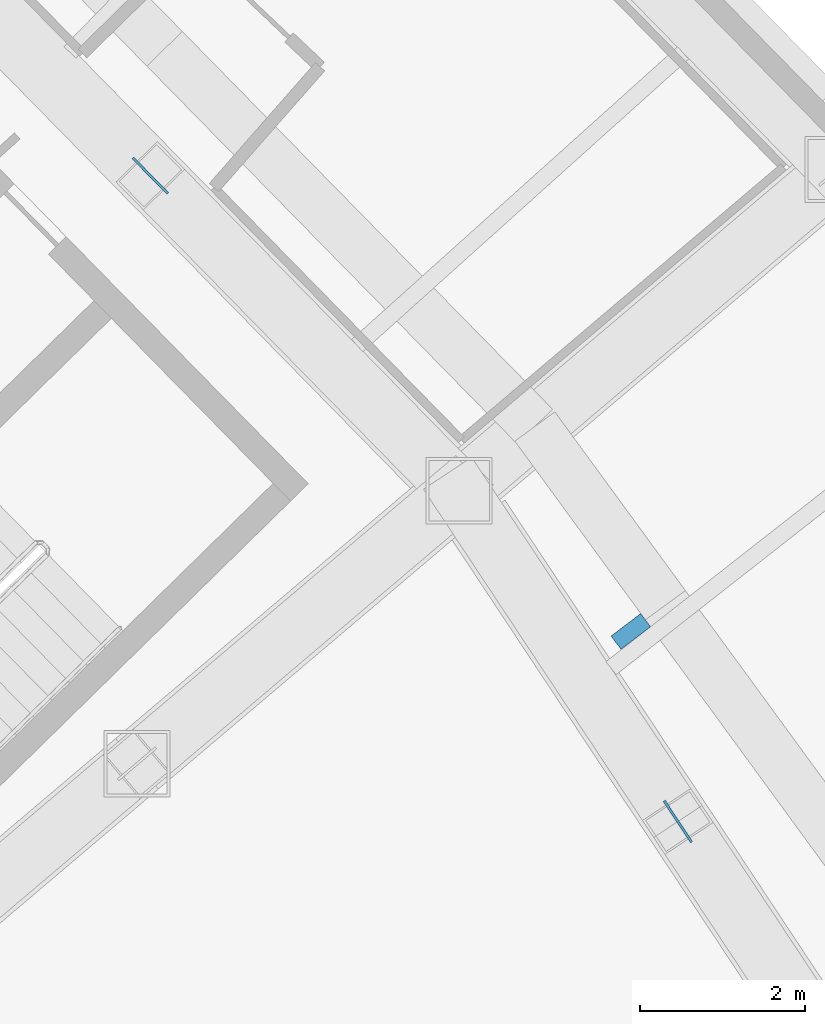
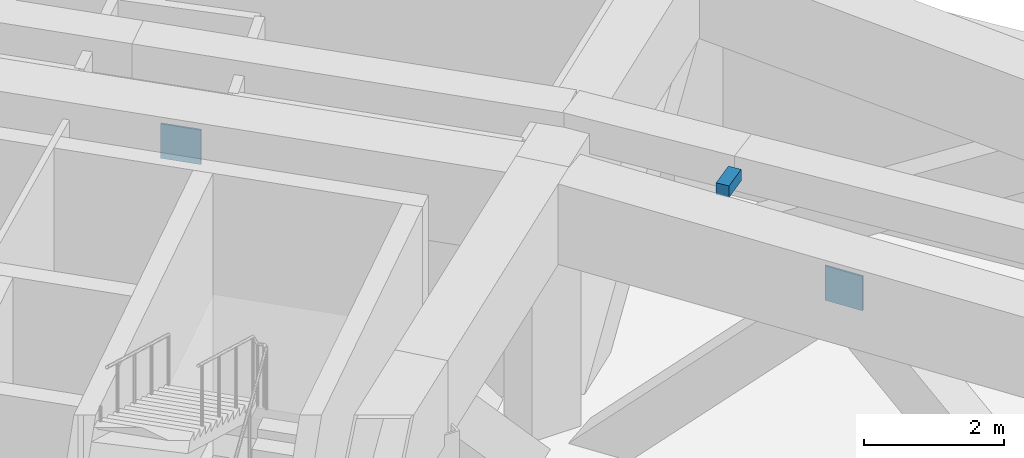
# One storey, part 24 of 30: 3 discrete accessories.
"""IFC4 building model written with IfcOpenShell, lengths in metres."""

from ifc_helpers import new_model, si_unit, direction, frame, origin, origin_2d, place, context, subcontext, project, spatial, rectangle, extrude, material, type_object, element, save


model = new_model("IFC4")

# Units and contexts
model_context = context("Model", 3, precision=1e-05, world=origin(), true_north=direction((0.0, 1.0)))
body_context = subcontext(model_context, "Body", "Model", "MODEL_VIEW")
ifc_project = project(units=[si_unit("LENGTHUNIT", "METRE"), si_unit("AREAUNIT", "SQUARE_METRE"), si_unit("VOLUMEUNIT", "CUBIC_METRE"), si_unit("PLANEANGLEUNIT", "RADIAN"), si_unit("MASSUNIT", "GRAM", prefix="KILO")], contexts=[model_context])

# Site, building, storey
site_placement = place(None, origin())
site = spatial("IfcSite", under=ifc_project, at=site_placement, CompositionType="ELEMENT")
building_placement = place(site_placement, origin())
building = spatial("IfcBuilding", under=site, at=building_placement, Name="Tuul Gate Civic Tower", CompositionType="ELEMENT")
storey_placement = place(building_placement, frame((0.0, 0.0, 26.699951171875)))
storey = spatial("IfcBuildingStorey", under=building, at=storey_placement, Name="Plant and refuge floor 1", CompositionType="ELEMENT", Elevation=26.699951171875)

# Discrete accessories
ifc_material_1 = material(Name="Steel S355", Category="steel")
discrete_accessory_type_1 = type_object("IfcDiscreteAccessoryType", Name="Gusset plate", PredefinedType="BRACKET", material=ifc_material_1)
for number, where, z_axis, x_axis, name in (
    (1, (59.021484375, -16.223388671875, 3.503662109375), (0.0, 0.0, 1.0), (0.551597524527, -0.834110406922, 0.0), "Gusset plate"),
    (2, (52.63232421875, -8.40185546875, 3.50341796875), (0.0, 0.0, 1.0), (0.700000236809, -0.714142610735, 0.0), "Gusset plate"),
):
    element("IfcDiscreteAccessory", number, at=place(storey_placement, frame(where, z_axis=z_axis, x_axis=x_axis)), inside=storey, type_object=discrete_accessory_type_1, Name=name, PredefinedType="BRACKET", context=body_context, shape_type="SweptSolid", body=[
        extrude(rectangle(XDim=0.60009765625, YDim=0.030029296875, at=origin_2d()), origin(), (0.0, 0.0, 1.0), 0.60009765625),
    ])
ifc_material_2 = material(Name="Stainless steel", Category="steel")
discrete_accessory_type_2 = type_object("IfcDiscreteAccessoryType", Name="Screen bracket", PredefinedType="BRACKET", material=ifc_material_2)
discrete_accessory_placement = place(storey_placement, frame((58.4521484375, -13.92138671875, 4.35009765625), z_axis=(0.0, 0.0, 1.0), x_axis=(0.796420161553, 0.604743686426, 0.0)))
element("IfcDiscreteAccessory", 3, at=discrete_accessory_placement, inside=storey, type_object=discrete_accessory_type_2, Name="Screen bracket 1", PredefinedType="BRACKET", context=body_context, shape_type="SweptSolid", body=[
    extrude(rectangle(XDim=0.4501953125, YDim=0.199951171875, at=origin_2d()), origin(), (0.0, 0.0, 1.0), 0.199951171875),
])

save(model, "model.ifc")
